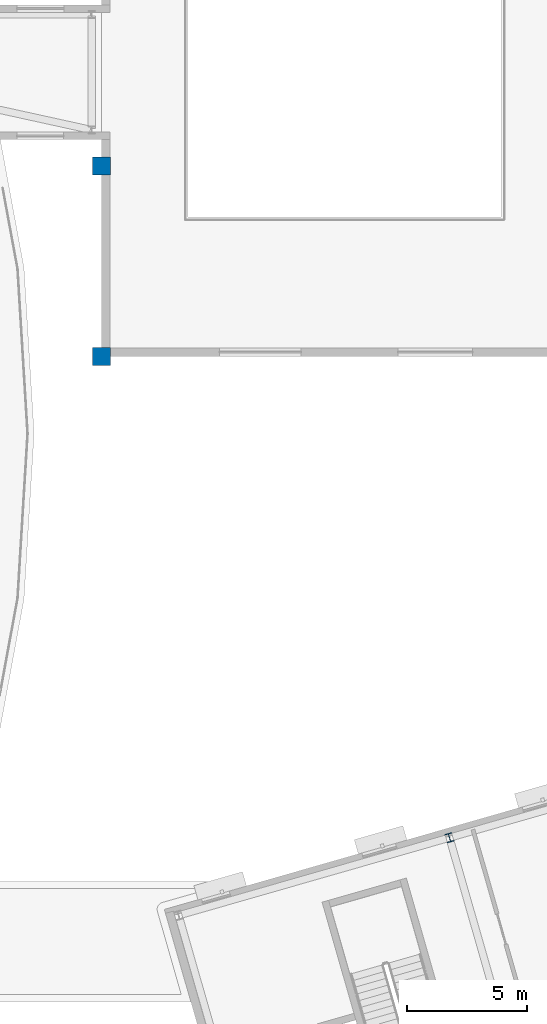
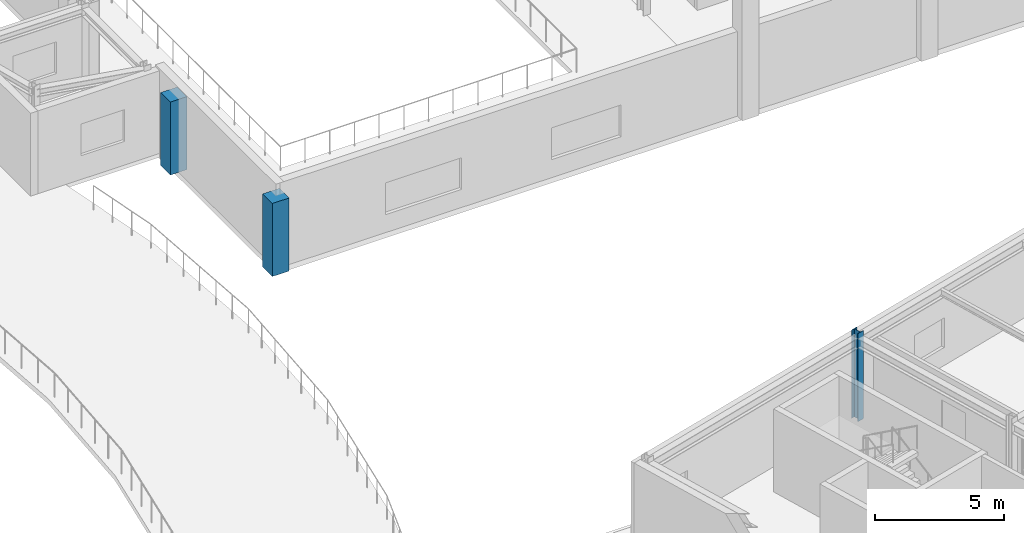
# One storey, part 6 of 59: 3 columns.
"""IFC4 building model written with IfcOpenShell, lengths in metres."""

from ifc_helpers import new_model, si_unit, direction, frame, origin, origin_2d, place, context, subcontext, project, spatial, rectangle, i_section, extrude, material, material_profile, profile_set, type_object, element, save


model = new_model("IFC4")

# Units and contexts
model_context = context("Model", 3, precision=1e-05, world=origin(), true_north=direction((0.0, 1.0)))
body_context = subcontext(model_context, "Body", "Model", "MODEL_VIEW")
ifc_project = project(units=[si_unit("LENGTHUNIT", "METRE"), si_unit("AREAUNIT", "SQUARE_METRE"), si_unit("VOLUMEUNIT", "CUBIC_METRE"), si_unit("PLANEANGLEUNIT", "RADIAN"), si_unit("MASSUNIT", "GRAM", prefix="KILO")], contexts=[model_context])

# Site, building, storey
site_placement = place(None, origin())
site = spatial("IfcSite", under=ifc_project, at=site_placement, CompositionType="ELEMENT")
building_placement = place(site_placement, origin())
building = spatial("IfcBuilding", under=site, at=building_placement, Name="Varnklinge Art Gallery", CompositionType="ELEMENT")
storey_placement = place(building_placement, frame((0.0, 0.0, 9.52001953125)))
storey = spatial("IfcBuildingStorey", under=building, at=storey_placement, Name="L02", CompositionType="ELEMENT", Elevation=9.52001953125)

# Columns
ifc_material_1 = material(Name="Steel S355", Category="steel")
ifc_material_profile_1 = material_profile(ifc_material_1, i_section(OverallWidth=0.300048828125, OverallDepth=0.360107421875, WebThickness=0.012451171875, FlangeThickness=0.0224609375, FilletRadius=0.027099609375, at=origin_2d()), Name="HEB 360")
ifc_profile_set_1 = profile_set([ifc_material_profile_1], Name="Steel S355")
column_type_1 = type_object("IfcColumnType", Name="COL-E4", PredefinedType="COLUMN", material=ifc_profile_set_1)
column_placement = place(storey_placement, frame((128.8525390625, 38.21826171875, 0.0), z_axis=(0.0, 0.0, 1.0), x_axis=(0.961261695938, 0.275637355817, 0.0)))
element("IfcColumn", 1, at=column_placement, inside=storey, type_object=column_type_1, Name="L02 Column V6C-2-4", PredefinedType="COLUMN", context=body_context, shape_type="SweptSolid", body=[
    extrude(i_section(OverallWidth=0.300048828125, OverallDepth=0.360107421875, WebThickness=0.012451171875, FlangeThickness=0.0224609375, FilletRadius=0.027099609375, at=origin_2d()), origin(), (0.0, 0.0, 1.0), 4.159912109375),
])
ifc_material_2 = material(Name="Concrete C40/50", Category="concrete")
ifc_material_profile_2 = material_profile(ifc_material_2, rectangle(XDim=0.75, YDim=0.75, at=origin_2d()), Name="RC 750x750")
ifc_profile_set_2 = profile_set([ifc_material_profile_2], Name="Concrete C40/50")
column_type_2 = type_object("IfcColumnType", Name="PIL-01", PredefinedType="PILASTER", material=ifc_profile_set_2)
for number, where, z_axis, x_axis, name in (
    (2, (114.39990234375, 58.199951171875, 0.0), (0.0, 0.0, 1.0), (1.0, 0.0, 0.0), "L02 Column V1C-1-1"),
    (3, (114.39990234375, 66.10009765625, 0.0), (0.0, 0.0, 1.0), (1.0, 0.0, 0.0), "L02 Column V1C-1-2"),
):
    element("IfcColumn", number, at=place(storey_placement, frame(where, z_axis=z_axis, x_axis=x_axis)), inside=storey, type_object=column_type_2, Name=name, PredefinedType="PILASTER", context=body_context, shape_type="SweptSolid", body=[
        extrude(rectangle(XDim=0.75, YDim=0.75, at=origin_2d()), origin(), (0.0, 0.0, 1.0), 3.449951171875),
    ])

save(model, "model.ifc")
